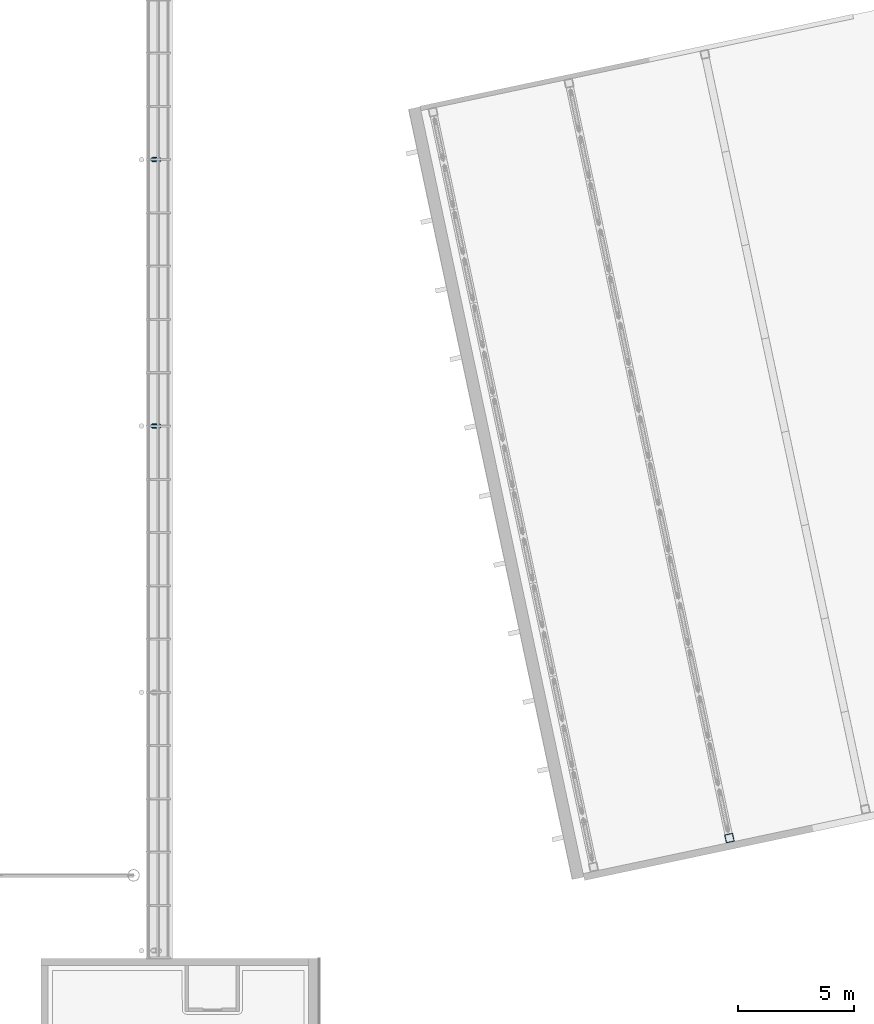
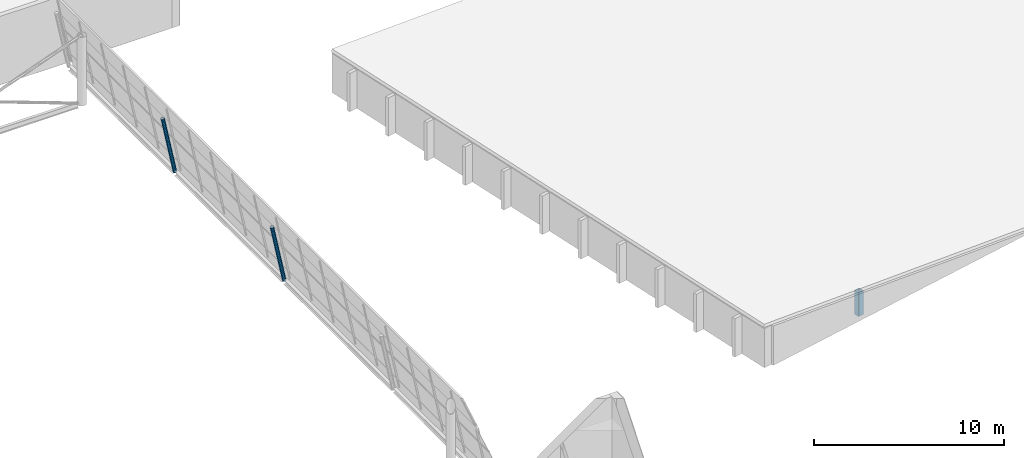
# One storey, part 5 of 50: 3 columns.
"""IFC4 building model written with IfcOpenShell, lengths in metres."""

from ifc_helpers import new_model, si_unit, direction, frame, origin, origin_2d, place, context, subcontext, project, spatial, hollow_rectangle, hollow_circle, extrude, material, material_profile, profile_set, type_object, element, save


model = new_model("IFC4")

# Units and contexts
model_context = context("Model", 3, precision=1e-05, world=origin(), true_north=direction((0.0, 1.0)))
body_context = subcontext(model_context, "Body", "Model", "MODEL_VIEW")
ifc_project = project(units=[si_unit("LENGTHUNIT", "METRE"), si_unit("AREAUNIT", "SQUARE_METRE"), si_unit("VOLUMEUNIT", "CUBIC_METRE"), si_unit("PLANEANGLEUNIT", "RADIAN"), si_unit("MASSUNIT", "GRAM", prefix="KILO")], contexts=[model_context])

# Site, building, storey
site_placement = place(None, origin())
site = spatial("IfcSite", under=ifc_project, at=site_placement, CompositionType="ELEMENT")
building_placement = place(site_placement, origin())
building = spatial("IfcBuilding", under=site, at=building_placement, Name="Windward Yard Aquatics Centre", CompositionType="ELEMENT")
storey_placement = place(building_placement, frame((0.0, 0.0, 18.199951171875)))
storey = spatial("IfcBuildingStorey", under=building, at=storey_placement, Name="L04", CompositionType="ELEMENT", Elevation=18.199951171875)

# Columns
ifc_material = material(Name="Steel ASTM A500 Gr C", Category="steel")
ifc_material_profile_1 = material_profile(ifc_material, hollow_rectangle(XDim=0.355712890625, YDim=0.355712890625, WallThickness=0.015869140625, InnerFilletRadius=0.008056640625, OuterFilletRadius=0.02392578125, at=origin_2d()), Name="HSS356X356X15.9")
ifc_profile_set_1 = profile_set([ifc_material_profile_1], Name="Steel ASTM A500 Gr C")
column_type_1 = type_object("IfcColumnType", Name="D column HSS356X356X15.9", PredefinedType="COLUMN", material=ifc_profile_set_1)
column_placement = place(storey_placement, frame((169.72607421875, 43.208984375, 0.0), z_axis=(0.0, 0.0, 1.0), x_axis=(0.978147600734, 0.207911690818, 0.0)))
element("IfcColumn", 1, at=column_placement, inside=storey, type_object=column_type_1, Name="D.COL.2.1.6", PredefinedType="COLUMN", context=body_context, shape_type="SweptSolid", body=[
    extrude(hollow_rectangle(XDim=0.355712890625, YDim=0.355712890625, WallThickness=0.015869140625, InnerFilletRadius=0.008056640625, OuterFilletRadius=0.02392578125, at=origin_2d()), origin(), (0.0, 0.0, 1.0), 1.515380859375),
])
ifc_material_profile_2 = material_profile(ifc_material, hollow_circle(Radius=0.109619140625, WallThickness=0.0126953125, at=origin_2d()), Name="HSS219.1X12.7")
ifc_profile_set_2 = profile_set([ifc_material_profile_2], Name="Steel ASTM A500 Gr C")
column_type_2 = type_object("IfcColumnType", Name="H tier 2 leg HSS219.1X12.7", PredefinedType="COLUMN", material=ifc_profile_set_2)
for number, where, z_axis, x_axis, name in (
    (2, (145.09521484375, 61.0, 0.0), (-0.199397546047, 0.0, 0.979918679601), (0.0, -1.0, 0.0), "H.TL.E3.T2B.L04"),
    (3, (145.09521484375, 72.5, 0.0), (-0.199397546047, 0.0, 0.979918679601), (0.0, -1.0, 0.0), "H.TL.E4.T2B.L04"),
):
    element("IfcColumn", number, at=place(storey_placement, frame(where, z_axis=z_axis, x_axis=x_axis)), inside=storey, type_object=column_type_2, Name=name, PredefinedType="COLUMN", context=body_context, shape_type="SweptSolid", body=[
        extrude(hollow_circle(Radius=0.109619140625, WallThickness=0.0126953125, at=origin_2d()), origin(), (0.0, 0.0, 1.0), 3.776123046875),
    ])

save(model, "model.ifc")
